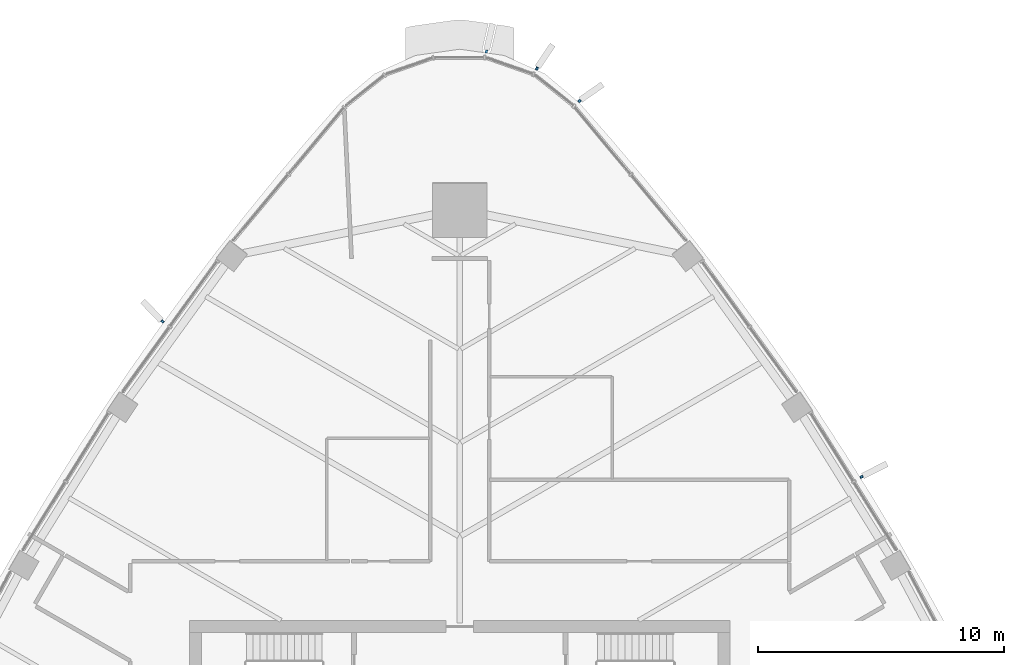
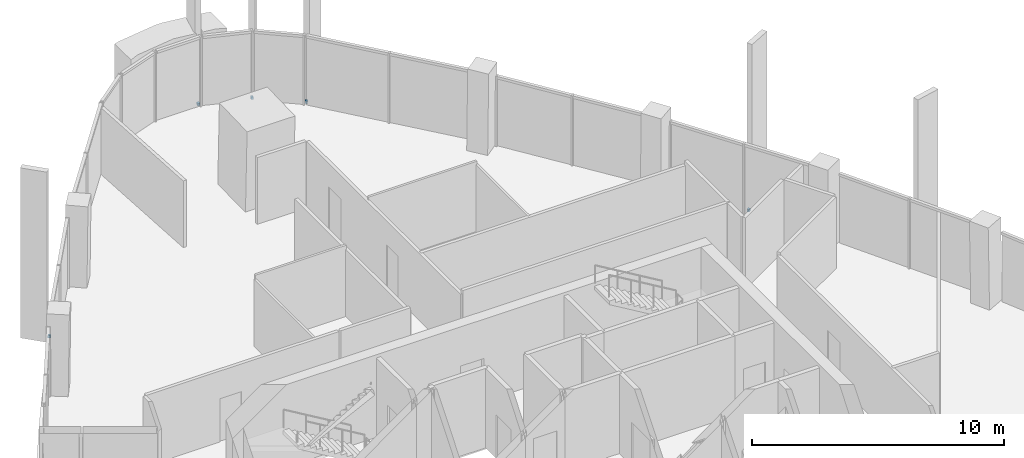
# One storey, part 14 of 18: 5 discrete accessories.
"""IFC4 building model written with IfcOpenShell, lengths in metres."""

from ifc_helpers import new_model, si_unit, direction, frame, origin, origin_2d, place, context, subcontext, project, spatial, rectangle, extrude, material, type_object, element, save


model = new_model("IFC4")

# Units and contexts
model_context = context("Model", 3, precision=1e-05, world=origin(), true_north=direction((0.0, 1.0)))
body_context = subcontext(model_context, "Body", "Model", "MODEL_VIEW")
ifc_project = project(units=[si_unit("LENGTHUNIT", "METRE"), si_unit("AREAUNIT", "SQUARE_METRE"), si_unit("VOLUMEUNIT", "CUBIC_METRE"), si_unit("PLANEANGLEUNIT", "RADIAN"), si_unit("MASSUNIT", "GRAM", prefix="KILO")], contexts=[model_context])

# Site, building, storey
site_placement = place(None, origin())
site = spatial("IfcSite", under=ifc_project, at=site_placement, CompositionType="ELEMENT")
building_placement = place(site_placement, origin())
building = spatial("IfcBuilding", under=site, at=building_placement, Name="Sierra Prisma Convention Tower", CompositionType="ELEMENT")
storey_placement = place(building_placement, frame((0.0, 0.0, 263.0)))
storey = spatial("IfcBuildingStorey", under=building, at=storey_placement, Name="L59", CompositionType="ELEMENT", Elevation=263.0)

# Discrete accessories
ifc_material = material(Name="Stainless steel 316", Category="steel")
discrete_accessory_type = type_object("IfcDiscreteAccessoryType", Name="Fin bracket", PredefinedType="BRACKET", material=ifc_material)
for number, where, z_axis, x_axis, name in (
    (1, (16.339599609375, 13.834228515625, -0.135009765625), (0.0, 0.0, 1.0), (0.847601364188, 0.530633515175, 0.0), "Fin bracket L59.33 base"),
    (2, (4.869873046875, 29.11962890625, -0.135009765625), (0.0, 0.0, 1.0), (0.645262747307, 0.763960723426, 0.0), "Fin bracket L59.40 base"),
    (3, (3.14013671875, 30.438232421875, -0.135009765625), (0.0, 0.0, 1.0), (0.408509319578, 0.912754148617, 0.0), "Fin bracket L59.41 base"),
    (4, (1.084228515625, 31.1328125, -0.135009765625), (0.0, 0.0, 1.0), (0.139813866382, 0.990177803613, 0.0), "Fin bracket L59.42 base"),
    (5, (-12.089599609375, 20.15625, -0.135009765625), (0.0, 0.0, 1.0), (-0.80752887112, 0.589828044694, 0.0), "Fin bracket L59.49 base"),
):
    element("IfcDiscreteAccessory", number, at=place(storey_placement, frame(where, z_axis=z_axis, x_axis=x_axis)), inside=storey, type_object=discrete_accessory_type, Name=name, PredefinedType="BRACKET", context=body_context, shape_type="SweptSolid", body=[
        extrude(rectangle(XDim=0.1201171875, YDim=0.10009765625, at=origin_2d()), origin(), (0.0, 0.0, 1.0), 0.1201171875),
    ])

save(model, "model.ifc")
